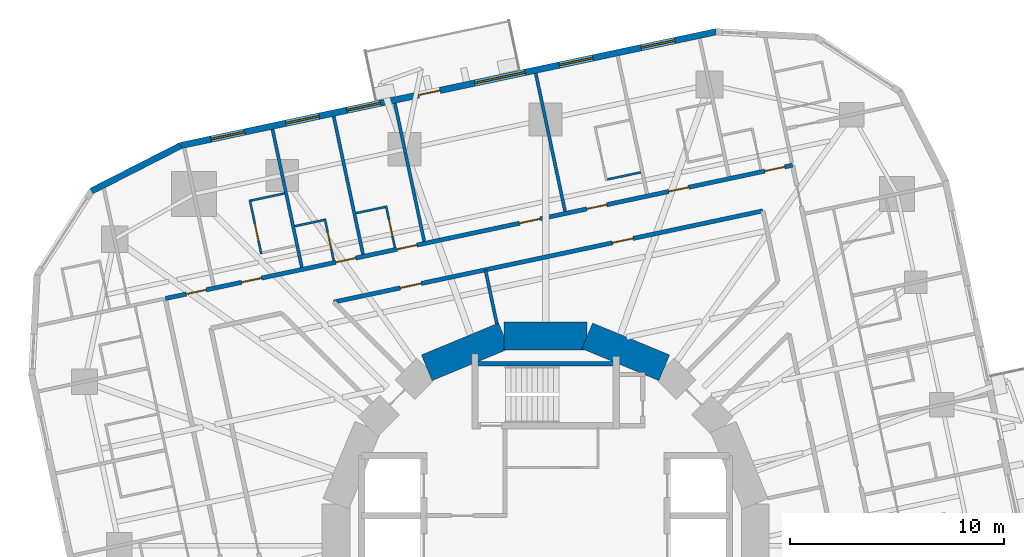
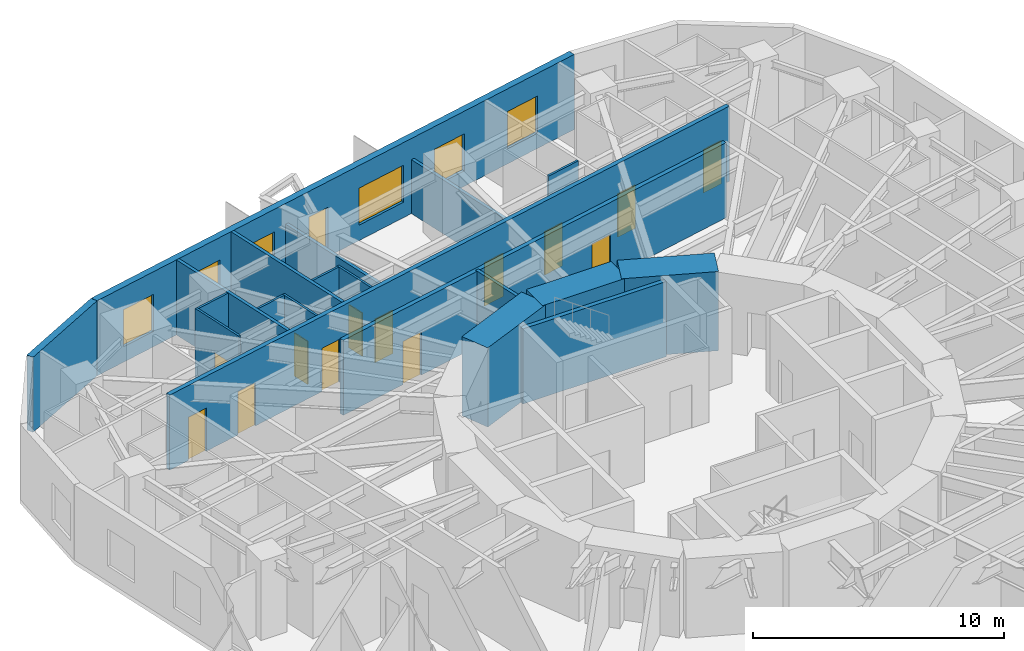
# One storey, part 10 of 14: 20 walls, 14 doors, 6 windows, 20 openings.
"""IFC4 building model written with IfcOpenShell, lengths in metres."""

from ifc_helpers import new_model, si_unit, direction, frame, frame_2d, origin, place, context, subcontext, project, spatial, rectangle, extrude, material, layer, layer_set, type_object, element, fill, save


model = new_model("IFC4")

# Units and contexts
model_context = context("Model", 3, precision=1e-05, world=origin(), true_north=direction((0.0, 1.0)))
body_context = subcontext(model_context, "Body", "Model", "MODEL_VIEW")
ifc_project = project(units=[si_unit("LENGTHUNIT", "METRE"), si_unit("AREAUNIT", "SQUARE_METRE"), si_unit("VOLUMEUNIT", "CUBIC_METRE"), si_unit("PLANEANGLEUNIT", "RADIAN"), si_unit("MASSUNIT", "GRAM", prefix="KILO")], contexts=[model_context])

# Site, building, storey
site_placement = place(None, origin())
site = spatial("IfcSite", under=ifc_project, at=site_placement, CompositionType="ELEMENT")
building_placement = place(site_placement, origin())
building = spatial("IfcBuilding", under=site, at=building_placement, Name="Nakasero Lantern House", CompositionType="ELEMENT")
storey_placement = place(building_placement, frame((0.0, 0.0, 128.10009765625)))
storey = spatial("IfcBuildingStorey", under=building, at=storey_placement, Name="L31", CompositionType="ELEMENT", Elevation=128.10009765625)

# Walls
ifc_material_1 = material(Name="Concrete C50/60", Category="concrete")
ifc_layer_1 = layer(ifc_material_1, 1.300048828125)
ifc_layer_set_1 = layer_set([ifc_layer_1], Name="Core wall 1300")
wall_type_1 = type_object("IfcWallType", Name="Core wall 1300", PredefinedType="SHEAR", material=ifc_layer_set_1)
for number, where, z_axis, x_axis, name in (
    (1, (5.5556640625, 8.314697265625, 0.0), (0.0, 0.0, 1.0), (-0.923876507187, 0.382690736062, 0.0), "Core wall L31 facet 3"),
    (2, (1.950927734375, 9.807861328125, 0.0), (0.0, 0.0, 1.0), (-1.0, 0.0, 0.0), "Core wall L31 facet 4"),
    (3, (-1.950927734375, 9.807861328125, 0.0), (0.0, 0.0, 1.0), (-0.923876507187, -0.382690736062, 0.0), "Core wall L31 facet 5"),
):
    element("IfcWall", number, at=place(storey_placement, frame(where, z_axis=z_axis, x_axis=x_axis)), inside=storey, type_object=wall_type_1, Name=name, PredefinedType="SHEAR", context=body_context, shape_type="SweptSolid", body=[
        extrude(rectangle(XDim=3.90185546875, YDim=1.300048828125, at=frame_2d((1.950927734375, 0.0))), origin(), (0.0, 0.0, 1.0), 3.849853515625),
    ])

# Wall, openings, doors
ifc_material_2 = material(Name="Blockwork", Category="masonry")
ifc_layer_2 = layer(ifc_material_2, 0.199951171875)
ifc_layer_set_2 = layer_set([ifc_layer_2], Name="Corridor wall 200")
wall_type_2 = type_object("IfcWallType", Name="Corridor wall 200", PredefinedType="PARTITIONING", material=ifc_layer_set_2)
wall_1_placement = place(storey_placement, frame((11.553466796875, 17.790771484375, 0.0), z_axis=(0.0, 0.0, 1.0), x_axis=(-0.978147639417, -0.207911508826, 0.0)))
wall_1 = element("IfcWall", 4, at=wall_1_placement, inside=storey, type_object=wall_type_2, Name="Corridor wall L31 CW1", PredefinedType="PARTITIONING", context=body_context, shape_type="SweptSolid", body=[
    extrude(rectangle(XDim=29.999755859375, YDim=0.199951171875, at=frame_2d((15.0, 0.0))), origin(), (0.0, 0.0, 1.0), 3.64990234375),
])
opening_1_placement = place(wall_1_placement, frame((0.375, 0.0, 0.0)))
opening_1 = element("IfcOpeningElement", 5, at=opening_1_placement, cuts=wall_1, Name="Opening D01", PredefinedType="OPENING", context=body_context, shape_type="SweptSolid", body=[
    extrude(rectangle(XDim=0.949951171875, YDim=2.10009765625, at=frame_2d((0.47509765625, 1.050048828125))), frame((0.0, 0.119873046875, 0.0), z_axis=(0.0, -1.0, 0.0), x_axis=(1.0, 0.0, 0.0)), (0.0, 0.0, 1.0), 0.239990234375),
])
opening_2_placement = place(wall_1_placement, frame((4.966064453125, 0.0, 0.0)))
opening_2 = element("IfcOpeningElement", 6, at=opening_2_placement, cuts=wall_1, Name="Opening D01", PredefinedType="OPENING", context=body_context, shape_type="SweptSolid", body=[
    extrude(rectangle(XDim=0.949951171875, YDim=2.10009765625, at=frame_2d((0.47509765625, 1.050048828125))), frame((0.0, 0.119873046875, 0.0), z_axis=(0.0, -1.0, 0.0), x_axis=(1.0, 0.0, 0.0)), (0.0, 0.0, 1.0), 0.239990234375),
])
opening_3_placement = place(wall_1_placement, frame((8.8857421875, 0.0, 0.0)))
opening_3 = element("IfcOpeningElement", 7, at=opening_3_placement, cuts=wall_1, Name="Opening D01", PredefinedType="OPENING", context=body_context, shape_type="SweptSolid", body=[
    extrude(rectangle(XDim=0.949951171875, YDim=2.10009765625, at=frame_2d((0.47509765625, 1.050048828125))), frame((0.0, 0.119873046875, 0.0), z_axis=(0.0, -1.0, 0.0), x_axis=(1.0, 0.0, 0.0)), (0.0, 0.0, 1.0), 0.239990234375),
])
opening_4_placement = place(wall_1_placement, frame((17.967529296875, 0.0, 0.0)))
opening_4 = element("IfcOpeningElement", 8, at=opening_4_placement, cuts=wall_1, Name="Opening D01", PredefinedType="OPENING", context=body_context, shape_type="SweptSolid", body=[
    extrude(rectangle(XDim=0.949951171875, YDim=2.10009765625, at=frame_2d((0.47509765625, 1.050048828125))), frame((0.0, 0.119873046875, 0.0), z_axis=(0.0, -1.0, 0.0), x_axis=(1.0, 0.0, 0.0)), (0.0, 0.0, 1.0), 0.239990234375),
])
opening_5_placement = place(wall_1_placement, frame((20.89404296875, 0.0, 0.0)))
opening_5 = element("IfcOpeningElement", 9, at=opening_5_placement, cuts=wall_1, Name="Opening D01", PredefinedType="OPENING", context=body_context, shape_type="SweptSolid", body=[
    extrude(rectangle(XDim=0.949951171875, YDim=2.10009765625, at=frame_2d((0.47509765625, 1.050048828125))), frame((0.0, 0.119873046875, 0.0), z_axis=(0.0, -1.0, 0.0), x_axis=(1.0, 0.0, 0.0)), (0.0, 0.0, 1.0), 0.239990234375),
])
opening_6_placement = place(wall_1_placement, frame((25.395263671875, 0.0, 0.0)))
opening_6 = element("IfcOpeningElement", 10, at=opening_6_placement, cuts=wall_1, Name="Opening D01", PredefinedType="OPENING", context=body_context, shape_type="SweptSolid", body=[
    extrude(rectangle(XDim=0.949951171875, YDim=2.10009765625, at=frame_2d((0.47509765625, 1.050048828125))), frame((0.0, 0.119873046875, 0.0), z_axis=(0.0, -1.0, 0.0), x_axis=(1.0, 0.0, 0.0)), (0.0, 0.0, 1.0), 0.239990234375),
])
opening_7_placement = place(wall_1_placement, frame((28.038330078125, 0.0, 0.0)))
opening_7 = element("IfcOpeningElement", 11, at=opening_7_placement, cuts=wall_1, Name="Opening D01", PredefinedType="OPENING", context=body_context, shape_type="SweptSolid", body=[
    extrude(rectangle(XDim=0.949951171875, YDim=2.10009765625, at=frame_2d((0.47509765625, 1.050048828125))), frame((0.0, 0.119873046875, 0.0), z_axis=(0.0, -1.0, 0.0), x_axis=(1.0, 0.0, 0.0)), (0.0, 0.0, 1.0), 0.239990234375),
])
opening_8_placement = place(wall_1_placement, frame((12.05517578125, 0.0, 0.0)))
opening_8 = element("IfcOpeningElement", 12, at=opening_8_placement, cuts=wall_1, Name="Opening D03", PredefinedType="OPENING", context=body_context, shape_type="SweptSolid", body=[
    extrude(rectangle(XDim=1.0, YDim=2.10009765625, at=frame_2d((0.5, 1.050048828125))), frame((0.0, 0.119873046875, 0.0), z_axis=(0.0, -1.0, 0.0), x_axis=(1.0, 0.0, 0.0)), (0.0, 0.0, 1.0), 0.239990234375),
])
ifc_material_3 = material(Name="Timber C24", Category="wood")
door_type_1 = type_object("IfcDoorType", Name="Bedroom door FD30S 950", OperationType="SINGLE_SWING_LEFT", PredefinedType="DOOR", material=ifc_material_3)
door_1_placement = place(opening_1_placement, origin())
door_1 = element("IfcDoor", 13, at=door_1_placement, inside=storey, type_object=door_type_1, Name="Door L31 D1-00", OperationType="SINGLE_SWING_LEFT", OverallHeight=2.10009765625, OverallWidth=0.949951171875, PredefinedType="DOOR", context=body_context, shape_type="SweptSolid", body=[
    extrude(rectangle(XDim=0.949951171875, YDim=2.10009765625, at=frame_2d((0.47509765625, 1.050048828125))), frame((0.0, 0.02490234375, 0.0), z_axis=(0.0, -1.0, 0.0), x_axis=(1.0, 0.0, 0.0)), (0.0, 0.0, 1.0), 0.050048828125),
])
fill(opening_1, door_1)
door_2_placement = place(opening_2_placement, origin())
door_2 = element("IfcDoor", 14, at=door_2_placement, inside=storey, type_object=door_type_1, Name="Door L31 D1-01", OperationType="SINGLE_SWING_LEFT", OverallHeight=2.10009765625, OverallWidth=0.949951171875, PredefinedType="DOOR", context=body_context, shape_type="SweptSolid", body=[
    extrude(rectangle(XDim=0.949951171875, YDim=2.10009765625, at=frame_2d((0.47509765625, 1.050048828125))), frame((0.0, 0.02490234375, 0.0), z_axis=(0.0, -1.0, 0.0), x_axis=(1.0, 0.0, 0.0)), (0.0, 0.0, 1.0), 0.050048828125),
])
fill(opening_2, door_2)
door_3_placement = place(opening_3_placement, origin())
door_3 = element("IfcDoor", 15, at=door_3_placement, inside=storey, type_object=door_type_1, Name="Door L31 D1-02", OperationType="SINGLE_SWING_LEFT", OverallHeight=2.10009765625, OverallWidth=0.949951171875, PredefinedType="DOOR", context=body_context, shape_type="SweptSolid", body=[
    extrude(rectangle(XDim=0.949951171875, YDim=2.10009765625, at=frame_2d((0.47509765625, 1.050048828125))), frame((0.0, 0.02490234375, 0.0), z_axis=(0.0, -1.0, 0.0), x_axis=(1.0, 0.0, 0.0)), (0.0, 0.0, 1.0), 0.050048828125),
])
fill(opening_3, door_3)
door_4_placement = place(opening_4_placement, origin())
door_4 = element("IfcDoor", 16, at=door_4_placement, inside=storey, type_object=door_type_1, Name="Door L31 D1-05", OperationType="SINGLE_SWING_RIGHT", OverallHeight=2.10009765625, OverallWidth=0.949951171875, PredefinedType="DOOR", context=body_context, shape_type="SweptSolid", body=[
    extrude(rectangle(XDim=0.949951171875, YDim=2.10009765625, at=frame_2d((0.47509765625, 1.050048828125))), frame((0.0, 0.02490234375, 0.0), z_axis=(0.0, -1.0, 0.0), x_axis=(1.0, 0.0, 0.0)), (0.0, 0.0, 1.0), 0.050048828125),
])
fill(opening_4, door_4)
door_5_placement = place(opening_5_placement, origin())
door_5 = element("IfcDoor", 17, at=door_5_placement, inside=storey, type_object=door_type_1, Name="Door L31 D1-06", OperationType="SINGLE_SWING_RIGHT", OverallHeight=2.10009765625, OverallWidth=0.949951171875, PredefinedType="DOOR", context=body_context, shape_type="SweptSolid", body=[
    extrude(rectangle(XDim=0.949951171875, YDim=2.10009765625, at=frame_2d((0.47509765625, 1.050048828125))), frame((0.0, 0.02490234375, 0.0), z_axis=(0.0, -1.0, 0.0), x_axis=(1.0, 0.0, 0.0)), (0.0, 0.0, 1.0), 0.050048828125),
])
fill(opening_5, door_5)
door_6_placement = place(opening_6_placement, origin())
door_6 = element("IfcDoor", 18, at=door_6_placement, inside=storey, type_object=door_type_1, Name="Door L31 D1-07", OperationType="SINGLE_SWING_RIGHT", OverallHeight=2.10009765625, OverallWidth=0.949951171875, PredefinedType="DOOR", context=body_context, shape_type="SweptSolid", body=[
    extrude(rectangle(XDim=0.949951171875, YDim=2.10009765625, at=frame_2d((0.47509765625, 1.050048828125))), frame((0.0, 0.02490234375, 0.0), z_axis=(0.0, -1.0, 0.0), x_axis=(1.0, 0.0, 0.0)), (0.0, 0.0, 1.0), 0.050048828125),
])
fill(opening_6, door_6)
door_7_placement = place(opening_7_placement, origin())
door_7 = element("IfcDoor", 19, at=door_7_placement, inside=storey, type_object=door_type_1, Name="Door L31 D1-08", OperationType="SINGLE_SWING_RIGHT", OverallHeight=2.10009765625, OverallWidth=0.949951171875, PredefinedType="DOOR", context=body_context, shape_type="SweptSolid", body=[
    extrude(rectangle(XDim=0.949951171875, YDim=2.10009765625, at=frame_2d((0.47509765625, 1.050048828125))), frame((0.0, 0.02490234375, 0.0), z_axis=(0.0, -1.0, 0.0), x_axis=(1.0, 0.0, 0.0)), (0.0, 0.0, 1.0), 0.050048828125),
])
fill(opening_7, door_7)
ifc_material_4 = material(Name="Timber C24", Category="wood")
door_type_2 = type_object("IfcDoorType", Name="Lounge door FD30S 1000", OperationType="SINGLE_SWING_LEFT", PredefinedType="DOOR", material=ifc_material_4)
door_8_placement = place(opening_8_placement, origin())
door_8 = element("IfcDoor", 20, at=door_8_placement, inside=storey, type_object=door_type_2, Name="Door L31 DK1", OperationType="SINGLE_SWING_LEFT", OverallHeight=2.10009765625, OverallWidth=1.0, PredefinedType="DOOR", context=body_context, shape_type="SweptSolid", body=[
    extrude(rectangle(XDim=1.0, YDim=2.10009765625, at=frame_2d((0.5, 1.050048828125))), frame((0.0, 0.02490234375, 0.0), z_axis=(0.0, -1.0, 0.0), x_axis=(1.0, 0.0, 0.0)), (0.0, 0.0, 1.0), 0.050048828125),
])
fill(opening_8, door_8)

wall_2_placement = place(storey_placement, frame((10.1669921875, 15.656005859375, 0.0), z_axis=(0.0, 0.0, 1.0), x_axis=(-0.978147903572, -0.207910266073, 0.0)))
wall_2 = element("IfcWall", 21, at=wall_2_placement, inside=storey, type_object=wall_type_2, Name="Corridor wall L31 IW1-0", PredefinedType="PARTITIONING", context=body_context, shape_type="SweptSolid", body=[
    extrude(rectangle(XDim=20.520263671875, YDim=0.199951171875, at=frame_2d((10.26025390625, 0.0))), origin(), (0.0, 0.0, 1.0), 3.64990234375),
])
opening_9_placement = place(wall_2_placement, frame((6.197509765625, 0.0, 0.0)))
opening_9 = element("IfcOpeningElement", 22, at=opening_9_placement, cuts=wall_2, Name="Opening D07", PredefinedType="OPENING", context=body_context, shape_type="SweptSolid", body=[
    extrude(rectangle(XDim=1.0, YDim=2.10009765625, at=frame_2d((0.5, 1.050048828125))), frame((0.0, 0.119873046875, 0.0), z_axis=(0.0, -1.0, 0.0), x_axis=(1.0, 0.0, 0.0)), (0.0, 0.0, 1.0), 0.239990234375),
])
opening_10_placement = place(wall_2_placement, frame((16.33251953125, 0.0, 0.0)))
opening_10 = element("IfcOpeningElement", 23, at=opening_10_placement, cuts=wall_2, Name="Opening D07", PredefinedType="OPENING", context=body_context, shape_type="SweptSolid", body=[
    extrude(rectangle(XDim=1.0, YDim=2.10009765625, at=frame_2d((0.5, 1.050048828125))), frame((0.0, 0.119873046875, 0.0), z_axis=(0.0, -1.0, 0.0), x_axis=(1.0, 0.0, 0.0)), (0.0, 0.0, 1.0), 0.239990234375),
])
ifc_material_5 = material(Name="Timber C24", Category="wood")
door_type_3 = type_object("IfcDoorType", Name="Room door FD30S 1000", OperationType="SINGLE_SWING_LEFT", PredefinedType="DOOR", material=ifc_material_5)
door_9_placement = place(opening_9_placement, origin())
door_9 = element("IfcDoor", 24, at=door_9_placement, inside=storey, type_object=door_type_3, Name="Door L31 DI4", OperationType="SINGLE_SWING_LEFT", OverallHeight=2.10009765625, OverallWidth=1.0, PredefinedType="DOOR", context=body_context, shape_type="SweptSolid", body=[
    extrude(rectangle(XDim=1.0, YDim=2.10009765625, at=frame_2d((0.5, 1.050048828125))), frame((0.0, 0.02490234375, 0.0), z_axis=(0.0, -1.0, 0.0), x_axis=(1.0, 0.0, 0.0)), (0.0, 0.0, 1.0), 0.050048828125),
])
fill(opening_9, door_9)
door_10_placement = place(opening_10_placement, origin())
door_10 = element("IfcDoor", 25, at=door_10_placement, inside=storey, type_object=door_type_3, Name="Door L31 DI5", OperationType="SINGLE_SWING_RIGHT", OverallHeight=2.10009765625, OverallWidth=1.0, PredefinedType="DOOR", context=body_context, shape_type="SweptSolid", body=[
    extrude(rectangle(XDim=1.0, YDim=2.10009765625, at=frame_2d((0.5, 1.050048828125))), frame((0.0, 0.02490234375, 0.0), z_axis=(0.0, -1.0, 0.0), x_axis=(1.0, 0.0, 0.0)), (0.0, 0.0, 1.0), 0.050048828125),
])
fill(opening_10, door_10)

# Wall
ifc_material_6 = material(Name="Blockwork", Category="masonry")
ifc_layer_3 = layer(ifc_material_6, 0.10009765625)
ifc_layer_set_3 = layer_set([ifc_layer_3], Name="En-suite wall 100")
wall_type_3 = type_object("IfcWallType", Name="En-suite wall 100", PredefinedType="PARTITIONING", material=ifc_layer_set_3)
wall_3_placement = place(storey_placement, frame((4.45703125, 17.458251953125, 0.0), z_axis=(0.0, 0.0, 1.0), x_axis=(-0.978138294895, -0.207955466533, 0.0)))
element("IfcWall", 26, at=wall_3_placement, inside=storey, type_object=wall_type_3, Name="En-suite wall L31 EI1-02", PredefinedType="PARTITIONING", context=body_context, shape_type="SweptSolid", body=[
    extrude(rectangle(XDim=1.60009765625, YDim=0.10009765625, at=frame_2d((0.800048828125, 0.0))), origin(), (0.0, 0.0, 1.0), 3.64990234375),
])

# Wall, opening, door
wall_4_placement = place(storey_placement, frame((-7.046142578125, 13.939697265625, 0.0), z_axis=(0.0, 0.0, 1.0), x_axis=(-0.207886494942, 0.978152955943, 0.0)))
wall_4 = element("IfcWall", 27, at=wall_4_placement, inside=storey, type_object=wall_type_3, Name="En-suite wall L31 ES1-05", PredefinedType="PARTITIONING", context=body_context, shape_type="SweptSolid", body=[
    extrude(rectangle(XDim=2.0, YDim=0.10009765625, at=frame_2d((1.0, 0.0))), origin(), (0.0, 0.0, 1.0), 3.64990234375),
])
opening_11_placement = place(wall_4_placement, frame((0.550048828125, 0.0, 0.0)))
opening_11 = element("IfcOpeningElement", 28, at=opening_11_placement, cuts=wall_4, Name="Opening D02", PredefinedType="OPENING", context=body_context, shape_type="SweptSolid", body=[
    extrude(rectangle(XDim=0.800048828125, YDim=2.10009765625, at=frame_2d((0.39990234375, 1.050048828125))), frame((0.0, 0.070068359375, 0.0), z_axis=(0.0, -1.0, 0.0), x_axis=(1.0, 0.0, 0.0)), (0.0, 0.0, 1.0), 0.14013671875),
])
ifc_material_7 = material(Name="Timber C24", Category="wood")
door_type_4 = type_object("IfcDoorType", Name="En-suite door 800", OperationType="SINGLE_SWING_RIGHT", PredefinedType="DOOR", material=ifc_material_7)
door_11_placement = place(opening_11_placement, origin())
door_11 = element("IfcDoor", 29, at=door_11_placement, inside=storey, type_object=door_type_4, Name="Door L31 DE1-05", OperationType="SINGLE_SWING_LEFT", OverallHeight=2.10009765625, OverallWidth=0.800048828125, PredefinedType="DOOR", context=body_context, shape_type="SweptSolid", body=[
    extrude(rectangle(XDim=0.800048828125, YDim=2.10009765625, at=frame_2d((0.39990234375, 1.050048828125))), frame((0.0, 0.02490234375, 0.0), z_axis=(0.0, -1.0, 0.0), x_axis=(1.0, 0.0, 0.0)), (0.0, 0.0, 1.0), 0.050048828125),
])
fill(opening_11, door_11)

# Wall
wall_5_placement = place(storey_placement, frame((-7.50048828125, 15.836669921875, 0.0), z_axis=(0.0, 0.0, 1.0), x_axis=(-0.978155748334, -0.207873355681, 0.0)))
element("IfcWall", 30, at=wall_5_placement, inside=storey, type_object=wall_type_3, Name="En-suite wall L31 EE1-05", PredefinedType="PARTITIONING", context=body_context, shape_type="SweptSolid", body=[
    extrude(rectangle(XDim=1.39990234375, YDim=0.10009765625, at=frame_2d((0.699951171875, 0.0))), origin(), (0.0, 0.0, 1.0), 3.64990234375),
])

# Wall, opening, door
wall_6_placement = place(storey_placement, frame((-9.908447265625, 13.331298828125, 0.0), z_axis=(0.0, 0.0, 1.0), x_axis=(-0.208003285743, 0.978128127149, 0.0)))
wall_6 = element("IfcWall", 31, at=wall_6_placement, inside=storey, type_object=wall_type_3, Name="En-suite wall L31 ES1-06", PredefinedType="PARTITIONING", context=body_context, shape_type="SweptSolid", body=[
    extrude(rectangle(XDim=2.0, YDim=0.10009765625, at=frame_2d((1.0, 0.0))), origin(), (0.0, 0.0, 1.0), 3.64990234375),
])
opening_12_placement = place(wall_6_placement, frame((0.550048828125, 0.0, 0.0)))
opening_12 = element("IfcOpeningElement", 32, at=opening_12_placement, cuts=wall_6, Name="Opening D02", PredefinedType="OPENING", context=body_context, shape_type="SweptSolid", body=[
    extrude(rectangle(XDim=0.800048828125, YDim=2.10009765625, at=frame_2d((0.39990234375, 1.050048828125))), frame((0.0, 0.070068359375, 0.0), z_axis=(0.0, -1.0, 0.0), x_axis=(1.0, 0.0, 0.0)), (0.0, 0.0, 1.0), 0.14013671875),
])
door_12_placement = place(opening_12_placement, origin())
door_12 = element("IfcDoor", 33, at=door_12_placement, inside=storey, type_object=door_type_4, Name="Door L31 DE1-06", OperationType="SINGLE_SWING_LEFT", OverallHeight=2.10009765625, OverallWidth=0.800048828125, PredefinedType="DOOR", context=body_context, shape_type="SweptSolid", body=[
    extrude(rectangle(XDim=0.800048828125, YDim=2.10009765625, at=frame_2d((0.39990234375, 1.050048828125))), frame((0.0, 0.02490234375, 0.0), z_axis=(0.0, -1.0, 0.0), x_axis=(1.0, 0.0, 0.0)), (0.0, 0.0, 1.0), 0.050048828125),
])
fill(opening_12, door_12)

# Wall
wall_7_placement = place(storey_placement, frame((-10.36279296875, 15.228271484375, 0.0), z_axis=(0.0, 0.0, 1.0), x_axis=(-0.978155748334, -0.207873355681, 0.0)))
element("IfcWall", 34, at=wall_7_placement, inside=storey, type_object=wall_type_3, Name="En-suite wall L31 EE1-06", PredefinedType="PARTITIONING", context=body_context, shape_type="SweptSolid", body=[
    extrude(rectangle(XDim=1.39990234375, YDim=0.10009765625, at=frame_2d((0.699951171875, 0.0))), origin(), (0.0, 0.0, 1.0), 3.64990234375),
])

# Wall, opening, door
wall_8_placement = place(storey_placement, frame((-13.29541015625, 13.633544921875, 0.0), z_axis=(0.0, 0.0, 1.0), x_axis=(-0.207893569688, 0.978151452323, 0.0)))
wall_8 = element("IfcWall", 35, at=wall_8_placement, inside=storey, type_object=wall_type_3, Name="En-suite wall L31 ES1-07", PredefinedType="PARTITIONING", context=body_context, shape_type="SweptSolid", body=[
    extrude(rectangle(XDim=2.60009765625, YDim=0.10009765625, at=frame_2d((1.300048828125, 0.0))), origin(), (0.0, 0.0, 1.0), 3.64990234375),
])
opening_13_placement = place(wall_8_placement, frame((0.64990234375, 0.0, 0.0)))
opening_13 = element("IfcOpeningElement", 36, at=opening_13_placement, cuts=wall_8, Name="Opening D02", PredefinedType="OPENING", context=body_context, shape_type="SweptSolid", body=[
    extrude(rectangle(XDim=0.800048828125, YDim=2.10009765625, at=frame_2d((0.39990234375, 1.050048828125))), frame((0.0, 0.070068359375, 0.0), z_axis=(0.0, -1.0, 0.0), x_axis=(1.0, 0.0, 0.0)), (0.0, 0.0, 1.0), 0.14013671875),
])
door_13_placement = place(opening_13_placement, origin())
door_13 = element("IfcDoor", 37, at=door_13_placement, inside=storey, type_object=door_type_4, Name="Door L31 DE1-07", OperationType="SINGLE_SWING_LEFT", OverallHeight=2.10009765625, OverallWidth=0.800048828125, PredefinedType="DOOR", context=body_context, shape_type="SweptSolid", body=[
    extrude(rectangle(XDim=0.800048828125, YDim=2.10009765625, at=frame_2d((0.39990234375, 1.050048828125))), frame((0.0, 0.02490234375, 0.0), z_axis=(0.0, -1.0, 0.0), x_axis=(1.0, 0.0, 0.0)), (0.0, 0.0, 1.0), 0.050048828125),
])
fill(opening_13, door_13)

# Wall
wall_9_placement = place(storey_placement, frame((-12.211669921875, 16.470947265625, 0.0), z_axis=(0.0, 0.0, 1.0), x_axis=(-0.978162729042, -0.207840504985, 0.0)))
element("IfcWall", 38, at=wall_9_placement, inside=storey, type_object=wall_type_3, Name="En-suite wall L31 EE1-07", PredefinedType="PARTITIONING", context=body_context, shape_type="SweptSolid", body=[
    extrude(rectangle(XDim=1.599853515625, YDim=0.10009765625, at=frame_2d((0.7998046875, 0.0))), origin(), (0.0, 0.0, 1.0), 3.64990234375),
])

# Wall, openings, door, windows
ifc_material_8 = material(Name="Aluminium rainscreen on blockwork", Category="masonry")
ifc_layer_4 = layer(ifc_material_8, 0.300048828125)
ifc_layer_set_4 = layer_set([ifc_layer_4], Name="Facade wall 300")
wall_type_4 = type_object("IfcWallType", Name="Facade wall 300", PredefinedType="SOLIDWALL", material=ifc_layer_set_4)
wall_10_placement = place(storey_placement, frame((7.9775390625, 24.03369140625, 0.0), z_axis=(0.0, 0.0, 1.0), x_axis=(-0.978148160964, -0.207909055127, 0.0)))
wall_10 = element("IfcWall", 39, at=wall_10_placement, inside=storey, type_object=wall_type_4, Name="Facade wall L31 FW1S", PredefinedType="SOLIDWALL", context=body_context, shape_type="SweptSolid", body=[
    extrude(rectangle(XDim=25.60009765625, YDim=0.300048828125, at=frame_2d((12.800048828125, 0.0))), origin(), (0.0, 0.0, 1.0), 3.64990234375),
])
opening_14_placement = place(wall_10_placement, frame((1.975830078125, 0.0, 0.75)))
opening_14 = element("IfcOpeningElement", 40, at=opening_14_placement, cuts=wall_10, Name="Opening W01", PredefinedType="OPENING", context=body_context, shape_type="SweptSolid", body=[
    extrude(rectangle(XDim=1.60009765625, YDim=1.800048828125, at=frame_2d((0.800048828125, 0.89990234375))), frame((0.0, 0.169921875, 0.0), z_axis=(0.0, -1.0, 0.0), x_axis=(1.0, 0.0, 0.0)), (0.0, 0.0, 1.0), 0.340087890625),
])
opening_15_placement = place(wall_10_placement, frame((5.8955078125, 0.0, 0.75)))
opening_15 = element("IfcOpeningElement", 41, at=opening_15_placement, cuts=wall_10, Name="Opening W01", PredefinedType="OPENING", context=body_context, shape_type="SweptSolid", body=[
    extrude(rectangle(XDim=1.60009765625, YDim=1.800048828125, at=frame_2d((0.800048828125, 0.89990234375))), frame((0.0, 0.169921875, 0.0), z_axis=(0.0, -1.0, 0.0), x_axis=(1.0, 0.0, 0.0)), (0.0, 0.0, 1.0), 0.340087890625),
])
opening_16_placement = place(wall_10_placement, frame((16.0556640625, 0.0, 0.75)))
opening_16 = element("IfcOpeningElement", 42, at=opening_16_placement, cuts=wall_10, Name="Opening W01", PredefinedType="OPENING", context=body_context, shape_type="SweptSolid", body=[
    extrude(rectangle(XDim=1.60009765625, YDim=1.800048828125, at=frame_2d((0.800048828125, 0.89990234375))), frame((0.0, 0.169921875, 0.0), z_axis=(0.0, -1.0, 0.0), x_axis=(1.0, 0.0, 0.0)), (0.0, 0.0, 1.0), 0.340087890625),
])
opening_17_placement = place(wall_10_placement, frame((18.982177734375, 0.0, 0.75)))
opening_17 = element("IfcOpeningElement", 43, at=opening_17_placement, cuts=wall_10, Name="Opening W01", PredefinedType="OPENING", context=body_context, shape_type="SweptSolid", body=[
    extrude(rectangle(XDim=1.60009765625, YDim=1.800048828125, at=frame_2d((0.800048828125, 0.89990234375))), frame((0.0, 0.169921875, 0.0), z_axis=(0.0, -1.0, 0.0), x_axis=(1.0, 0.0, 0.0)), (0.0, 0.0, 1.0), 0.340087890625),
])
opening_18_placement = place(wall_10_placement, frame((22.554443359375, 0.0, 0.75)))
opening_18 = element("IfcOpeningElement", 44, at=opening_18_placement, cuts=wall_10, Name="Opening W01", PredefinedType="OPENING", context=body_context, shape_type="SweptSolid", body=[
    extrude(rectangle(XDim=1.60009765625, YDim=1.800048828125, at=frame_2d((0.800048828125, 0.89990234375))), frame((0.0, 0.169921875, 0.0), z_axis=(0.0, -1.0, 0.0), x_axis=(1.0, 0.0, 0.0)), (0.0, 0.0, 1.0), 0.340087890625),
])
opening_19_placement = place(wall_10_placement, frame((9.139404296875, 0.0, 0.75)))
opening_19 = element("IfcOpeningElement", 45, at=opening_19_placement, cuts=wall_10, Name="Opening W03", PredefinedType="OPENING", context=body_context, shape_type="SweptSolid", body=[
    extrude(rectangle(XDim=2.39990234375, YDim=1.800048828125, at=frame_2d((1.199951171875, 0.89990234375))), frame((0.0, 0.169921875, 0.0), z_axis=(0.0, -1.0, 0.0), x_axis=(1.0, 0.0, 0.0)), (0.0, 0.0, 1.0), 0.340087890625),
])
opening_20_placement = place(wall_10_placement, frame((13.208251953125, 0.0, 0.0)))
opening_20 = element("IfcOpeningElement", 46, at=opening_20_placement, cuts=wall_10, Name="Opening D04", PredefinedType="OPENING", context=body_context, shape_type="SweptSolid", body=[
    extrude(rectangle(XDim=1.0, YDim=2.39990234375, at=frame_2d((0.5, 1.199951171875))), frame((0.0, 0.169921875, 0.0), z_axis=(0.0, -1.0, 0.0), x_axis=(1.0, 0.0, 0.0)), (0.0, 0.0, 1.0), 0.340087890625),
])
ifc_material_9 = material(Name="Aluminium 6063-T6 and glass", Category="aluminium")
door_type_5 = type_object("IfcDoorType", Name="Balcony door 1000x2400", OperationType="SINGLE_SWING_RIGHT", PredefinedType="DOOR", material=ifc_material_9)
door_14_placement = place(opening_20_placement, origin())
door_14 = element("IfcDoor", 47, at=door_14_placement, inside=storey, type_object=door_type_5, Name="Balcony door L31 DB1", OperationType="SINGLE_SWING_RIGHT", OverallHeight=2.39990234375, OverallWidth=1.0, PredefinedType="DOOR", context=body_context, shape_type="SweptSolid", body=[
    extrude(rectangle(XDim=1.0, YDim=2.39990234375, at=frame_2d((0.5, 1.199951171875))), frame((0.0, 0.02490234375, 0.0), z_axis=(0.0, -1.0, 0.0), x_axis=(1.0, 0.0, 0.0)), (0.0, 0.0, 1.0), 0.050048828125),
])
fill(opening_20, door_14)
ifc_material_10 = material(Name="Aluminium 6063-T6 and glass", Category="aluminium")
window_type_1 = type_object("IfcWindowType", Name="Bedroom window 1600x1800", PartitioningType="SINGLE_PANEL", PredefinedType="WINDOW", material=ifc_material_10)
window_1_placement = place(opening_14_placement, origin())
window_1 = element("IfcWindow", 48, at=window_1_placement, inside=storey, type_object=window_type_1, Name="Window L31 WN1-01", OverallHeight=1.800048828125, OverallWidth=1.60009765625, PartitioningType="SINGLE_PANEL", PredefinedType="WINDOW", context=body_context, shape_type="SweptSolid", body=[
    extrude(rectangle(XDim=1.60009765625, YDim=1.800048828125, at=frame_2d((0.800048828125, 0.89990234375))), frame((0.0, 0.030029296875, 0.0), z_axis=(0.0, -1.0, 0.0), x_axis=(1.0, 0.0, 0.0)), (0.0, 0.0, 1.0), 0.06005859375),
])
fill(opening_14, window_1)
window_2_placement = place(opening_15_placement, origin())
window_2 = element("IfcWindow", 49, at=window_2_placement, inside=storey, type_object=window_type_1, Name="Window L31 WN1-02", OverallHeight=1.800048828125, OverallWidth=1.60009765625, PartitioningType="SINGLE_PANEL", PredefinedType="WINDOW", context=body_context, shape_type="SweptSolid", body=[
    extrude(rectangle(XDim=1.60009765625, YDim=1.800048828125, at=frame_2d((0.800048828125, 0.89990234375))), frame((0.0, 0.030029296875, 0.0), z_axis=(0.0, -1.0, 0.0), x_axis=(1.0, 0.0, 0.0)), (0.0, 0.0, 1.0), 0.06005859375),
])
fill(opening_15, window_2)
window_3_placement = place(opening_16_placement, origin())
window_3 = element("IfcWindow", 50, at=window_3_placement, inside=storey, type_object=window_type_1, Name="Window L31 WN1-05", OverallHeight=1.800048828125, OverallWidth=1.60009765625, PartitioningType="SINGLE_PANEL", PredefinedType="WINDOW", context=body_context, shape_type="SweptSolid", body=[
    extrude(rectangle(XDim=1.60009765625, YDim=1.800048828125, at=frame_2d((0.800048828125, 0.89990234375))), frame((0.0, 0.030029296875, 0.0), z_axis=(0.0, -1.0, 0.0), x_axis=(1.0, 0.0, 0.0)), (0.0, 0.0, 1.0), 0.06005859375),
])
fill(opening_16, window_3)
window_4_placement = place(opening_17_placement, origin())
window_4 = element("IfcWindow", 51, at=window_4_placement, inside=storey, type_object=window_type_1, Name="Window L31 WN1-06", OverallHeight=1.800048828125, OverallWidth=1.60009765625, PartitioningType="SINGLE_PANEL", PredefinedType="WINDOW", context=body_context, shape_type="SweptSolid", body=[
    extrude(rectangle(XDim=1.60009765625, YDim=1.800048828125, at=frame_2d((0.800048828125, 0.89990234375))), frame((0.0, 0.030029296875, 0.0), z_axis=(0.0, -1.0, 0.0), x_axis=(1.0, 0.0, 0.0)), (0.0, 0.0, 1.0), 0.06005859375),
])
fill(opening_17, window_4)
window_5_placement = place(opening_18_placement, origin())
window_5 = element("IfcWindow", 52, at=window_5_placement, inside=storey, type_object=window_type_1, Name="Window L31 WN1-07", OverallHeight=1.800048828125, OverallWidth=1.60009765625, PartitioningType="SINGLE_PANEL", PredefinedType="WINDOW", context=body_context, shape_type="SweptSolid", body=[
    extrude(rectangle(XDim=1.60009765625, YDim=1.800048828125, at=frame_2d((0.800048828125, 0.89990234375))), frame((0.0, 0.030029296875, 0.0), z_axis=(0.0, -1.0, 0.0), x_axis=(1.0, 0.0, 0.0)), (0.0, 0.0, 1.0), 0.06005859375),
])
fill(opening_18, window_5)
ifc_material_11 = material(Name="Aluminium 6063-T6 and glass", Category="aluminium")
window_type_2 = type_object("IfcWindowType", Name="Lounge window 2400x1800", PartitioningType="SINGLE_PANEL", PredefinedType="WINDOW", material=ifc_material_11)
window_6_placement = place(opening_19_placement, origin())
window_6 = element("IfcWindow", 53, at=window_6_placement, inside=storey, type_object=window_type_2, Name="Window L31 WK1", OverallHeight=1.800048828125, OverallWidth=2.39990234375, PartitioningType="SINGLE_PANEL", PredefinedType="WINDOW", context=body_context, shape_type="SweptSolid", body=[
    extrude(rectangle(XDim=2.39990234375, YDim=1.800048828125, at=frame_2d((1.199951171875, 0.89990234375))), frame((0.0, 0.030029296875, 0.0), z_axis=(0.0, -1.0, 0.0), x_axis=(1.0, 0.0, 0.0)), (0.0, 0.0, 1.0), 0.06005859375),
])
fill(opening_19, window_6)

# Walls
wall_11_placement = place(storey_placement, frame((-17.063232421875, 18.711181640625, 0.0), z_axis=(0.0, 0.0, 1.0), x_axis=(-0.89101404178, -0.453975745332, 0.0)))
element("IfcWall", 54, at=wall_11_placement, inside=storey, type_object=wall_type_4, Name="Facade wall L31 FW1C1", PredefinedType="SOLIDWALL", context=body_context, shape_type="SweptSolid", body=[
    extrude(rectangle(XDim=4.6845703125, YDim=0.300048828125, at=frame_2d((2.34228515625, 0.0))), origin(), (0.0, 0.0, 1.0), 3.64990234375),
])
ifc_material_12 = material(Name="Blockwork", Category="masonry")
ifc_layer_5 = layer(ifc_material_12, 0.199951171875)
ifc_layer_set_5 = layer_set([ifc_layer_5], Name="Fire lobby wall 200")
wall_type_5 = type_object("IfcWallType", Name="Fire lobby wall 200", PredefinedType="PARTITIONING", material=ifc_layer_set_5)
wall_12_placement = place(storey_placement, frame((-3.300048828125, 8.5, 0.0), z_axis=(0.0, 0.0, 1.0), x_axis=(1.0, 0.0, 0.0)))
element("IfcWall", 55, at=wall_12_placement, inside=storey, type_object=wall_type_5, Name="Fire lobby wall L31 W-STN", PredefinedType="PARTITIONING", context=body_context, shape_type="SweptSolid", body=[
    extrude(rectangle(XDim=6.60009765625, YDim=0.199951171875, at=frame_2d((3.300048828125, 0.0))), origin(), (0.0, 0.0, 1.0), 3.64990234375),
])
ifc_material_13 = material(Name="Blockwork", Category="masonry")
ifc_layer_6 = layer(ifc_material_13, 0.14990234375)
ifc_layer_set_6 = layer_set([ifc_layer_6], Name="Party wall 150")
wall_type_6 = type_object("IfcWallType", Name="Party wall 150", PredefinedType="PARTITIONING", material=ifc_layer_set_6)
wall_13_placement = place(storey_placement, frame((0.914794921875, 15.6318359375, 0.0), z_axis=(0.0, 0.0, 1.0), x_axis=(-0.207924673876, 0.978144841009, 0.0)))
element("IfcWall", 56, at=wall_13_placement, inside=storey, type_object=wall_type_6, Name="Party wall L31 PW1-03", PredefinedType="PARTITIONING", context=body_context, shape_type="SweptSolid", body=[
    extrude(rectangle(XDim=6.60009765625, YDim=0.14990234375, at=frame_2d((3.300048828125, 0.0))), origin(), (0.0, 0.0, 1.0), 2.623779296875),
])
wall_14_placement = place(storey_placement, frame((-5.67529296875, 14.23095703125, 0.0), z_axis=(0.0, 0.0, 1.0), x_axis=(-0.207924673876, 0.978144841009, 0.0)))
element("IfcWall", 57, at=wall_14_placement, inside=storey, type_object=wall_type_6, Name="Party wall L31 PW1-05", PredefinedType="PARTITIONING", context=body_context, shape_type="SweptSolid", body=[
    extrude(rectangle(XDim=6.60009765625, YDim=0.14990234375, at=frame_2d((3.300048828125, 0.0))), origin(), (0.0, 0.0, 1.0), 2.641845703125),
])
for number, where, z_axis, x_axis, name in (
    (58, (-8.537841796875, 13.62255859375, 0.0), (0.0, 0.0, 1.0), (-0.207889281984, 0.97815236361, 0.0), "Party wall L31 PW1-06"),
    (59, (-11.400146484375, 13.01416015625, 0.0), (0.0, 0.0, 1.0), (-0.207924673876, 0.978144841009, 0.0), "Party wall L31 PW1-07"),
):
    element("IfcWall", number, at=place(storey_placement, frame(where, z_axis=z_axis, x_axis=x_axis)), inside=storey, type_object=wall_type_6, Name=name, PredefinedType="PARTITIONING", context=body_context, shape_type="SweptSolid", body=[
        extrude(rectangle(XDim=6.60009765625, YDim=0.14990234375, at=frame_2d((3.300048828125, 0.0))), origin(), (0.0, 0.0, 1.0), 3.64990234375),
    ])
wall_15_placement = place(storey_placement, frame((-2.81298828125, 12.89697265625, 0.0), z_axis=(0.0, 0.0, 1.0), x_axis=(0.20794373203, -0.978140789615, 0.0)))
element("IfcWall", 60, at=wall_15_placement, inside=storey, type_object=wall_type_6, Name="Party wall L31 IM1", PredefinedType="PARTITIONING", context=body_context, shape_type="SweptSolid", body=[
    extrude(rectangle(XDim=2.5771484375, YDim=0.14990234375, at=frame_2d((1.28857421875, 0.0))), origin(), (0.0, 0.0, 1.0), 3.64990234375),
])

save(model, "model.ifc")
